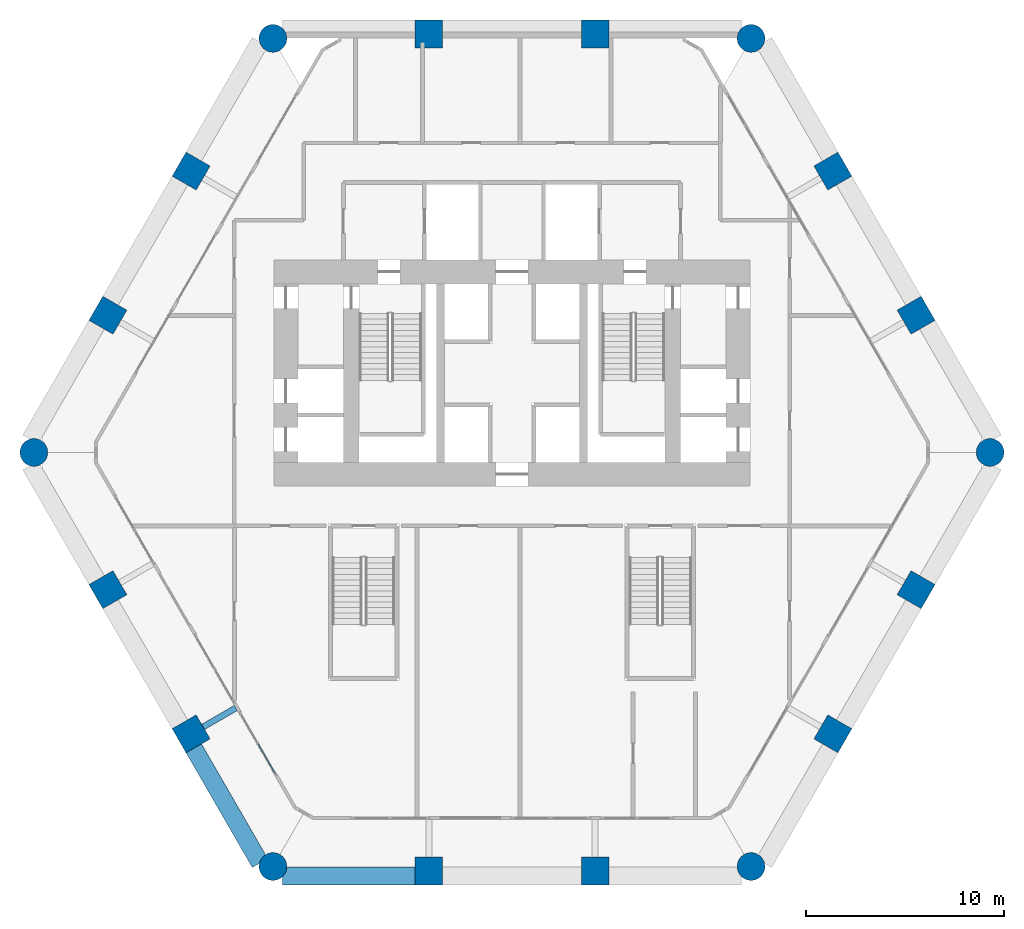
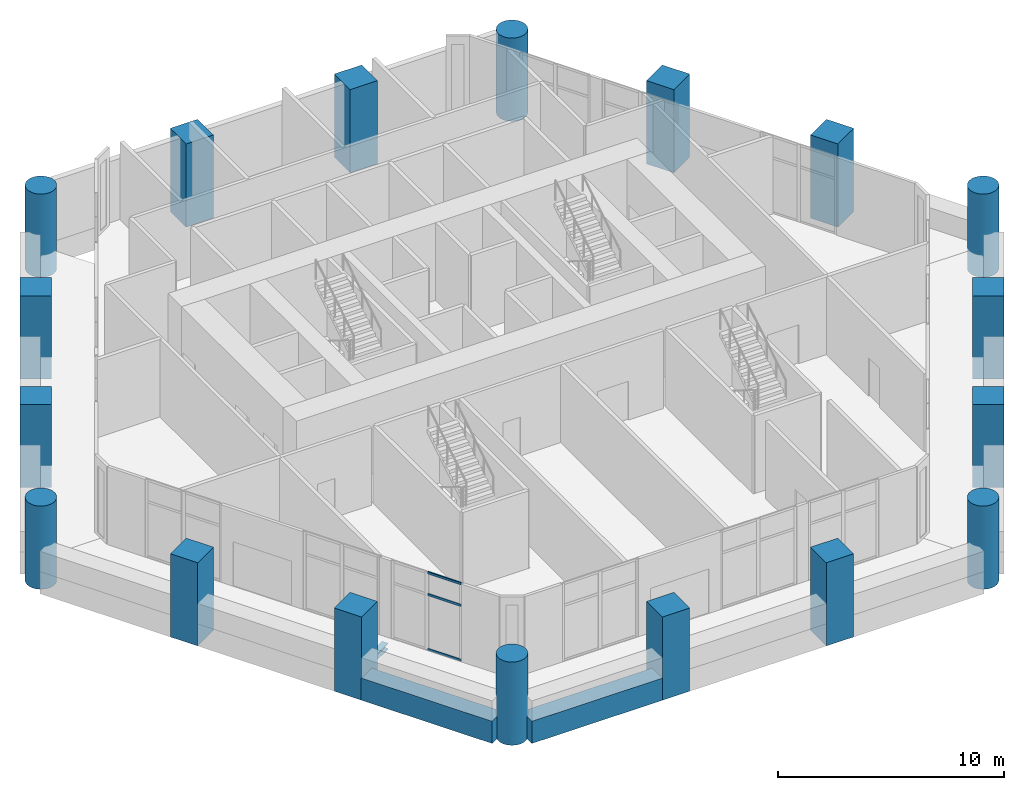
# One storey, part 1 of 18: 18 columns, 3 beams, 3 members, 1 element without a shape of its own.
"""IFC4 building model written with IfcOpenShell, lengths in metres."""

from ifc_helpers import new_model, si_unit, direction, frame, origin, origin_2d, place, context, subcontext, project, spatial, rectangle, hollow_rectangle, circle, i_section, extrude, material, material_profile, profile_set, type_object, element, aggregate, save


model = new_model("IFC4")

# Units and contexts
model_context = context("Model", 3, precision=1e-05, world=origin(), true_north=direction((0.0, 1.0)))
body_context = subcontext(model_context, "Body", "Model", "MODEL_VIEW")
ifc_project = project(units=[si_unit("LENGTHUNIT", "METRE"), si_unit("AREAUNIT", "SQUARE_METRE"), si_unit("VOLUMEUNIT", "CUBIC_METRE"), si_unit("PLANEANGLEUNIT", "RADIAN"), si_unit("MASSUNIT", "GRAM", prefix="KILO")], contexts=[model_context])

# Site, building, storey
site_placement = place(None, origin())
site = spatial("IfcSite", under=ifc_project, at=site_placement, CompositionType="ELEMENT")
building_placement = place(site_placement, origin())
building = spatial("IfcBuilding", under=site, at=building_placement, Name="Ostrander Bayou Hotel Tower", CompositionType="ELEMENT")
storey_placement = place(building_placement, frame((0.0, 0.0, 19.0)))
storey = spatial("IfcBuildingStorey", under=building, at=storey_placement, Name="L04", CompositionType="ELEMENT", Elevation=19.0)

# Columns
ifc_material_1 = material(Name="Concrete f'c 70 MPa", Category="concrete")
ifc_material_profile_1 = material_profile(ifc_material_1, circle(Radius=0.699951171875, at=origin_2d()))
ifc_profile_set_1 = profile_set([ifc_material_profile_1], Name="Concrete f'c 70 MPa")
column_type_1 = type_object("IfcColumnType", Name="C1 round column 1400 mm f'c 70 MPa", PredefinedType="COLUMN", material=ifc_profile_set_1)
for number, where, z_axis, x_axis, name in (
    (1, (-12.050537109375, 20.872314453125, -1.199951171875), (0.0, 0.0, 1.0), (1.0, 0.0, 0.0), "C1 L04 K0"),
    (2, (-24.101318359375, 0.0, -1.199951171875), (0.0, 0.0, 1.0), (1.0, 0.0, 0.0), "C1 L04 K1"),
    (3, (-12.050537109375, -20.872314453125, -1.199951171875), (0.0, 0.0, 1.0), (1.0, 0.0, 0.0), "C1 L04 K2"),
    (4, (12.050537109375, -20.872314453125, -1.199951171875), (0.0, 0.0, 1.0), (1.0, 0.0, 0.0), "C1 L04 K3"),
    (5, (24.101318359375, 0.0, -1.199951171875), (0.0, 0.0, 1.0), (1.0, 0.0, 0.0), "C1 L04 K4"),
    (6, (12.050537109375, 20.872314453125, -1.199951171875), (0.0, 0.0, 1.0), (1.0, 0.0, 0.0), "C1 L04 K5"),
):
    element("IfcColumn", number, at=place(storey_placement, frame(where, z_axis=z_axis, x_axis=x_axis)), inside=storey, type_object=column_type_1, Name=name, PredefinedType="COLUMN", context=body_context, shape_type="SweptSolid", body=[
        extrude(circle(Radius=0.699951171875, at=origin_2d()), origin(), (0.0, 0.0, 1.0), 4.5),
    ])
ifc_material_2 = material(Name="Concrete f'c 70 MPa", Category="concrete")
ifc_material_profile_2 = material_profile(ifc_material_2, rectangle(XDim=1.39990234375, YDim=1.39990234375, at=origin_2d()))
ifc_profile_set_2 = profile_set([ifc_material_profile_2], Name="Concrete f'c 70 MPa")
column_type_2 = type_object("IfcColumnType", Name="C2 square column 1400 x 1400 mm f'c 70 MPa", PredefinedType="COLUMN", material=ifc_profile_set_2)
for number, where, z_axis, x_axis, name in (
    (7, (4.1953125, 21.10009765625, -1.199951171875), (0.0, 0.0, 1.0), (1.0, 0.0, 0.0), "C2 L04 N1"),
    (8, (-4.1953125, 21.10009765625, -1.199951171875), (0.0, 0.0, 1.0), (1.0, 0.0, 0.0), "C2 L04 N2"),
    (9, (-16.17529296875, 14.183349609375, -1.199951171875), (0.0, 0.0, 1.0), (0.5, 0.866025403784, 0.0), "C2 L04 NW1"),
    (10, (-20.370849609375, 6.916748046875, -1.199951171875), (0.0, 0.0, 1.0), (0.5, 0.866025403784, 0.0), "C2 L04 NW2"),
    (11, (-20.370849609375, -6.916748046875, -1.199951171875), (0.0, 0.0, 1.0), (-0.5, 0.866025403784, 0.0), "C2 L04 SW1"),
    (12, (-16.17529296875, -14.183349609375, -1.199951171875), (0.0, 0.0, 1.0), (-0.5, 0.866025403784, 0.0), "C2 L04 SW2"),
    (13, (-4.1953125, -21.10009765625, -1.199951171875), (0.0, 0.0, 1.0), (-1.0, 0.0, 0.0), "C2 L04 S1"),
    (14, (4.1953125, -21.10009765625, -1.199951171875), (0.0, 0.0, 1.0), (-1.0, 0.0, 0.0), "C2 L04 S2"),
    (15, (16.17529296875, -14.183349609375, -1.199951171875), (0.0, 0.0, 1.0), (-0.5, -0.866025403784, 0.0), "C2 L04 SE1"),
    (16, (20.370849609375, -6.916748046875, -1.199951171875), (0.0, 0.0, 1.0), (-0.5, -0.866025403784, 0.0), "C2 L04 SE2"),
    (17, (20.370849609375, 6.916748046875, -1.199951171875), (0.0, 0.0, 1.0), (0.5, -0.866025403784, 0.0), "C2 L04 NE1"),
    (18, (16.17529296875, 14.183349609375, -1.199951171875), (0.0, 0.0, 1.0), (0.5, -0.866025403784, 0.0), "C2 L04 NE2"),
):
    element("IfcColumn", number, at=place(storey_placement, frame(where, z_axis=z_axis, x_axis=x_axis)), inside=storey, type_object=column_type_2, Name=name, PredefinedType="COLUMN", context=body_context, shape_type="SweptSolid", body=[
        extrude(rectangle(XDim=1.39990234375, YDim=1.39990234375, at=origin_2d()), origin(), (0.0, 0.0, 1.0), 4.5),
    ])

# Curtain wall, members
ifc_material_3 = material(Name="Aluminium and clear glass", Category="aluminium")
curtain_wall_type = type_object("IfcCurtainWallType", Name="CW-SKY amenity glass wall", PredefinedType="NOTDEFINED", material=ifc_material_3)
curtain_wall_placement = place(storey_placement, origin())
curtain_wall = element("IfcCurtainWall", 19, at=curtain_wall_placement, inside=storey, type_object=curtain_wall_type, Name="CW-SKY L04 SW 4", PredefinedType="NOTDEFINED")
ifc_material_4 = material(Name="Aluminium", Category="aluminium")
ifc_material_profile_3 = material_profile(ifc_material_4, hollow_rectangle(XDim=0.06005859375, YDim=0.1201171875, WallThickness=0.00390625, at=origin_2d()))
ifc_profile_set_3 = profile_set([ifc_material_profile_3], Name="Aluminium")
member_type = type_object("IfcMemberType", Name="CW-SK transom 60 x 120 mm", PredefinedType="USERDEFINED", material=ifc_profile_set_3)
member_1_placement = place(storey_placement, frame((-12.79150390625, -14.6943359375, 0.030029296875), z_axis=(0.499977863513, -0.866038183914, 0.0), x_axis=(0.866038183914, 0.499977863513, 0.0)))
member_1 = element("IfcMember", 20, at=member_1_placement, type_object=member_type, Name="CW-SKY transom 2.1", ObjectType="TRANSOM", PredefinedType="USERDEFINED", context=body_context, shape_type="SweptSolid", body=[
    extrude(hollow_rectangle(XDim=0.06005859375, YDim=0.1201171875, WallThickness=0.00390625, at=origin_2d()), origin(), (0.0, 0.0, 1.0), 1.7099609375),
])
member_2_placement = place(storey_placement, frame((-12.79150390625, -14.6943359375, 3.0), z_axis=(0.499977863513, -0.866038183914, 0.0), x_axis=(0.866038183914, 0.499977863513, 0.0)))
member_2 = element("IfcMember", 21, at=member_2_placement, type_object=member_type, Name="CW-SKY transom 2.2", ObjectType="TRANSOM", PredefinedType="USERDEFINED", context=body_context, shape_type="SweptSolid", body=[
    extrude(hollow_rectangle(XDim=0.06005859375, YDim=0.1201171875, WallThickness=0.00390625, at=origin_2d()), origin(), (0.0, 0.0, 1.0), 1.7099609375),
])
member_3_placement = place(storey_placement, frame((-12.79150390625, -14.6943359375, 4.169921875), z_axis=(0.499977863513, -0.866038183914, 0.0), x_axis=(0.866038183914, 0.499977863513, 0.0)))
member_3 = element("IfcMember", 22, at=member_3_placement, type_object=member_type, Name="CW-SKY transom 2.3", ObjectType="TRANSOM", PredefinedType="USERDEFINED", context=body_context, shape_type="SweptSolid", body=[
    extrude(hollow_rectangle(XDim=0.06005859375, YDim=0.1201171875, WallThickness=0.00390625, at=origin_2d()), origin(), (0.0, 0.0, 1.0), 1.7099609375),
])
aggregate(curtain_wall, [member_1, member_2, member_3])

# Beams
ifc_material_5 = material(Name="Steel ASTM A992", Category="steel")
ifc_material_profile_4 = material_profile(ifc_material_5, i_section(OverallWidth=0.3046875, OverallDepth=0.307861328125, WebThickness=0.010009765625, FlangeThickness=0.015380859375, at=origin_2d()))
ifc_profile_set_4 = profile_set([ifc_material_profile_4], Name="Steel ASTM A992")
beam_type_1 = type_object("IfcBeamType", Name="LB1 loggia bracket W12x65", PredefinedType="BEAM", material=ifc_profile_set_4)
beam_placement = place(storey_placement, frame((-15.569091796875, -13.833251953125, -0.453857421875), z_axis=(0.86601224135, 0.500022797313, 0.0), x_axis=(-0.500022797313, 0.86601224135, 0.0)))
element("IfcBeam", 23, at=beam_placement, inside=storey, type_object=beam_type_1, Name="LB1 L04 SW2", PredefinedType="BEAM", context=body_context, shape_type="SweptSolid", body=[
    extrude(i_section(OverallWidth=0.3046875, OverallDepth=0.307861328125, WebThickness=0.010009765625, FlangeThickness=0.015380859375, at=origin_2d()), origin(), (0.0, 0.0, 1.0), 1.89990234375),
])
ifc_material_6 = material(Name="Concrete f'c 70 MPa", Category="concrete")
ifc_material_profile_5 = material_profile(ifc_material_6, rectangle(XDim=0.89990234375, YDim=1.199951171875, at=origin_2d()))
ifc_profile_set_5 = profile_set([ifc_material_profile_5], Name="Concrete f'c 70 MPa")
beam_type_2 = type_object("IfcBeamType", Name="SP1 spandrel beam 900 x 1200 mm f'c 70 MPa", PredefinedType="SPANDREL", material=ifc_profile_set_5)
for number, where, z_axis, x_axis, name in (
    (24, (-16.056884765625, -14.888671875, -0.60009765625), (0.500005133765, -0.866022439784, 0.0), (0.866022439784, 0.500005133765, 0.0), "SP1 L04 SW-3"),
    (25, (-11.569091796875, -21.35009765625, -0.60009765625), (1.0, 0.0, 0.0), (0.0, 1.0, 0.0), "SP1 L04 S-1"),
):
    element("IfcBeam", number, at=place(storey_placement, frame(where, z_axis=z_axis, x_axis=x_axis)), inside=storey, type_object=beam_type_2, Name=name, PredefinedType="SPANDREL", context=body_context, shape_type="SweptSolid", body=[
        extrude(rectangle(XDim=0.89990234375, YDim=1.199951171875, at=origin_2d()), origin(), (0.0, 0.0, 1.0), 6.70361328125),
    ])

save(model, "model.ifc")
